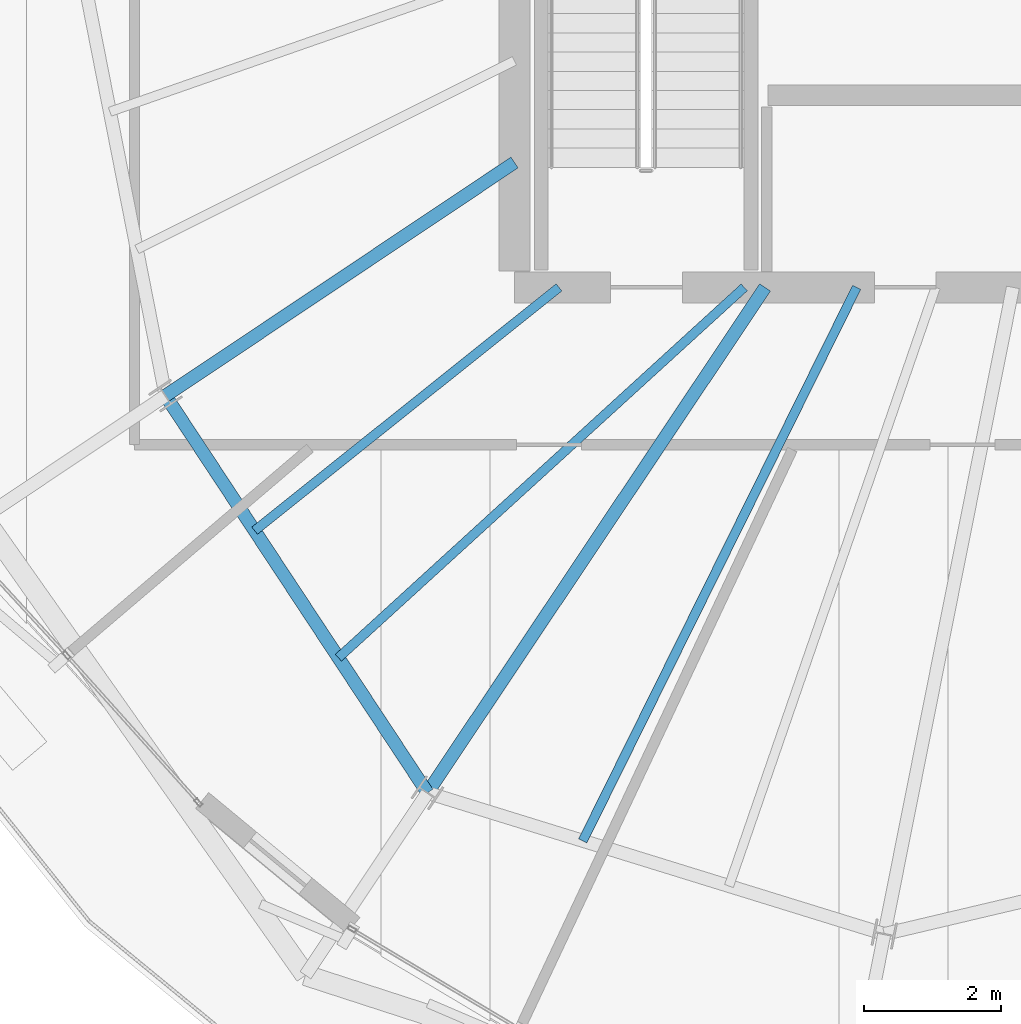
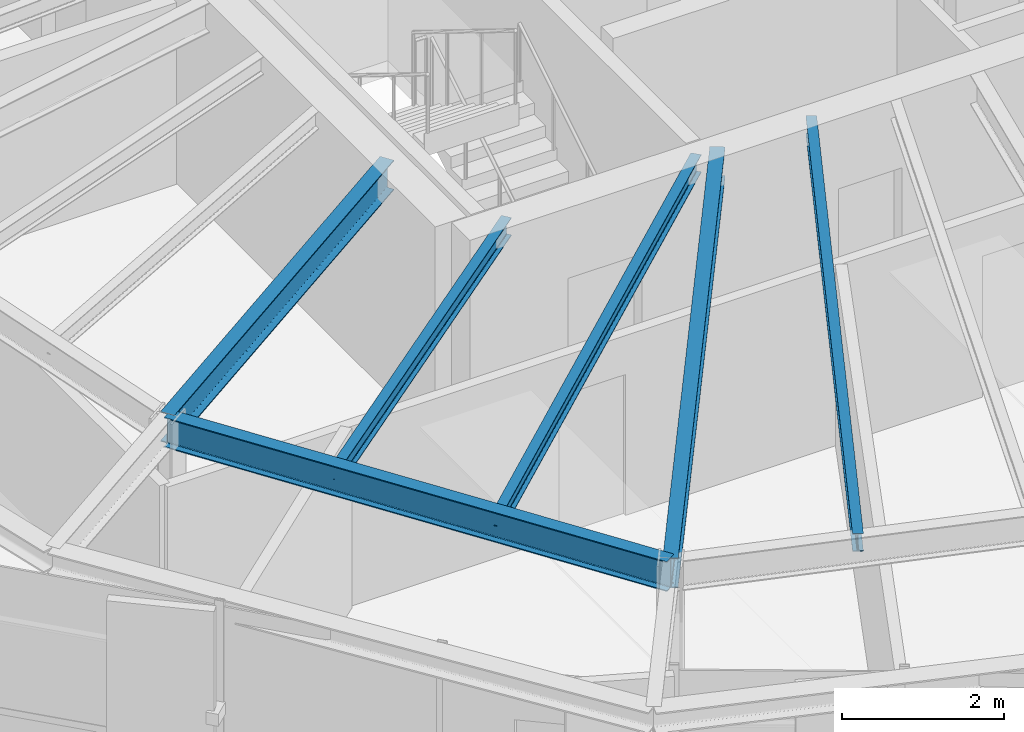
# One storey, part 5 of 34: 6 beams.
"""IFC4 building model written with IfcOpenShell, lengths in metres."""

from ifc_helpers import new_model, si_unit, direction, frame, origin, origin_2d, place, context, subcontext, project, spatial, i_section, extrude, source, transform, mapped, material, material_profile, profile_set, type_object, element, save


model = new_model("IFC4")

# Units and contexts
model_context = context("Model", 3, precision=1e-05, world=origin(), true_north=direction((0.0, 1.0)))
body_context = subcontext(model_context, "Body", "Model", "MODEL_VIEW")
ifc_project = project(units=[si_unit("LENGTHUNIT", "METRE"), si_unit("AREAUNIT", "SQUARE_METRE"), si_unit("VOLUMEUNIT", "CUBIC_METRE"), si_unit("PLANEANGLEUNIT", "RADIAN"), si_unit("MASSUNIT", "GRAM", prefix="KILO"), si_unit("THERMODYNAMICTEMPERATUREUNIT", "KELVIN")], contexts=[model_context])

# Site, building, storey
site_placement = place(None, origin())
site = spatial("IfcSite", under=ifc_project, at=site_placement, CompositionType="ELEMENT")
building_placement = place(site_placement, origin())
building = spatial("IfcBuilding", under=site, at=building_placement, Name="Kethvar Cultural Tower", CompositionType="ELEMENT")
storey_placement = place(building_placement, frame((0.0, 0.0, 262.89990234375)))
storey = spatial("IfcBuildingStorey", under=building, at=storey_placement, Name="L69", CompositionType="ELEMENT", Elevation=262.89990234375)

# Beams
ifc_material = material(Name="Steel S355J2", Category="steel")
ifc_material_profile_1 = material_profile(ifc_material, i_section(OverallWidth=0.18994140625, OverallDepth=0.449951171875, WebThickness=0.009521484375, FlangeThickness=0.0146484375, FilletRadius=0.02099609375, at=origin_2d()), Name="Steel S355J2 — IPE450")
ifc_profile_set_1 = profile_set([ifc_material_profile_1], Name="Steel S355J2 — IPE450")
beam_type_1 = type_object("IfcBeamType", Name="BM-IPE450", PredefinedType="BEAM", material=ifc_profile_set_1)
shared_shape_1 = source(origin(), body_context, "Body", "SweptSolid", [
    extrude(i_section(OverallWidth=0.18994140625, OverallDepth=0.449951171875, WebThickness=0.009521484375, FlangeThickness=0.0146484375, FilletRadius=0.02099609375, at=origin_2d()), origin(), (0.0, 0.0, 1.0), 6.118408203125),
])
beam_1_placement = place(storey_placement, frame((38.0, 21.920166015625, 2.983154296875), z_axis=(-0.831466631282, -0.555574694406, 0.0), x_axis=(0.555574694406, -0.831466631282, 0.0)))
element("IfcBeam", 1, at=beam_1_placement, inside=storey, type_object=beam_type_1, Name="L69 Primary Radial Beam RB-10", PredefinedType="BEAM", context=body_context, shape_type="MappedRepresentation", body=[
    mapped(shared_shape_1, transform((0.0, 0.0, 0.0), scale=1.0)),
])
shared_shape_2 = source(origin(), body_context, "Body", "SweptSolid", [
    extrude(i_section(OverallWidth=0.18994140625, OverallDepth=0.449951171875, WebThickness=0.009521484375, FlangeThickness=0.0146484375, FilletRadius=0.02099609375, at=origin_2d()), origin(), (0.0, 0.0, 1.0), 8.86279296875),
])
beam_2_placement = place(storey_placement, frame((41.655029296875, 20.10009765625, 2.983154296875), z_axis=(-0.555564443415, -0.831473480764, 0.0), x_axis=(0.831473480764, -0.555564443415, 0.0)))
element("IfcBeam", 2, at=beam_2_placement, inside=storey, type_object=beam_type_1, Name="L69 Primary Radial Beam RB-11", PredefinedType="BEAM", context=body_context, shape_type="MappedRepresentation", body=[
    mapped(shared_shape_2, transform((0.0, 0.0, 0.0), scale=1.0)),
])
shared_shape_3 = source(origin(), body_context, "Body", "SweptSolid", [
    extrude(i_section(OverallWidth=0.18994140625, OverallDepth=0.449951171875, WebThickness=0.009521484375, FlangeThickness=0.0146484375, FilletRadius=0.02099609375, at=origin_2d()), origin(), (0.0, 0.0, 1.0), 6.935791015625),
])
beam_3_placement = place(storey_placement, frame((32.912841796875, 18.52099609375, 2.983154296875), z_axis=(0.550534204139, -0.834812607759, 0.0), x_axis=(0.834812607759, 0.550534204139, 0.0)))
element("IfcBeam", 3, at=beam_3_placement, inside=storey, type_object=beam_type_1, Name="L69 Column Ring Tie Beam CR-10", PredefinedType="BEAM", context=body_context, shape_type="MappedRepresentation", body=[
    mapped(shared_shape_3, transform((0.0, 0.0, 0.0), scale=1.0)),
])
ifc_material_profile_2 = material_profile(ifc_material, i_section(OverallWidth=0.135009765625, OverallDepth=0.27001953125, WebThickness=0.006591796875, FlangeThickness=0.01025390625, FilletRadius=0.014892578125, at=origin_2d()), Name="Steel S355J2 — IPE270")
ifc_profile_set_2 = profile_set([ifc_material_profile_2], Name="Steel S355J2 — IPE270")
beam_type_2 = type_object("IfcBeamType", Name="BM-J270", PredefinedType="JOIST", material=ifc_profile_set_2)
shared_shape_4 = source(origin(), body_context, "Body", "SweptSolid", [
    extrude(i_section(OverallWidth=0.135009765625, OverallDepth=0.27001953125, WebThickness=0.006591796875, FlangeThickness=0.01025390625, FilletRadius=0.014892578125, at=origin_2d()), origin(), (0.0, 0.0, 1.0), 5.68212890625),
])
beam_4_placement = place(storey_placement, frame((38.64990234375, 20.10009765625, 3.072998046875), z_axis=(-0.781157957733, -0.624333440615, 0.0), x_axis=(0.624333440615, -0.781157957733, 0.0)))
element("IfcBeam", 4, at=beam_4_placement, inside=storey, type_object=beam_type_2, Name="L69 Composite Floor Joist J-10A", PredefinedType="JOIST", context=body_context, shape_type="MappedRepresentation", body=[
    mapped(shared_shape_4, transform((0.0, 0.0, 0.0), scale=1.0)),
])
shared_shape_5 = source(origin(), body_context, "Body", "SweptSolid", [
    extrude(i_section(OverallWidth=0.135009765625, OverallDepth=0.27001953125, WebThickness=0.006591796875, FlangeThickness=0.01025390625, FilletRadius=0.014892578125, at=origin_2d()), origin(), (0.0, 0.0, 1.0), 8.010986328125),
])
beam_5_placement = place(storey_placement, frame((41.35009765625, 20.10009765625, 3.072998046875), z_axis=(-0.738614798856, -0.674127717061, 0.0), x_axis=(0.674127717061, -0.738614798856, 0.0)))
element("IfcBeam", 5, at=beam_5_placement, inside=storey, type_object=beam_type_2, Name="L69 Composite Floor Joist J-10B", PredefinedType="JOIST", context=body_context, shape_type="MappedRepresentation", body=[
    mapped(shared_shape_5, transform((0.0, 0.0, 0.0), scale=1.0)),
])
shared_shape_6 = source(origin(), body_context, "Body", "SweptSolid", [
    extrude(i_section(OverallWidth=0.135009765625, OverallDepth=0.27001953125, WebThickness=0.006591796875, FlangeThickness=0.01025390625, FilletRadius=0.014892578125, at=origin_2d()), origin(), (0.0, 0.0, 1.0), 9.00341796875),
])
beam_6_placement = place(storey_placement, frame((42.989501953125, 20.10009765625, 3.072998046875), z_axis=(-0.443543695319, -0.896252749141, 0.0), x_axis=(0.896252749141, -0.443543695319, 0.0)))
element("IfcBeam", 6, at=beam_6_placement, inside=storey, type_object=beam_type_2, Name="L69 Composite Floor Joist J-11A", PredefinedType="JOIST", context=body_context, shape_type="MappedRepresentation", body=[
    mapped(shared_shape_6, transform((0.0, 0.0, 0.0), scale=1.0)),
])

save(model, "model.ifc")
